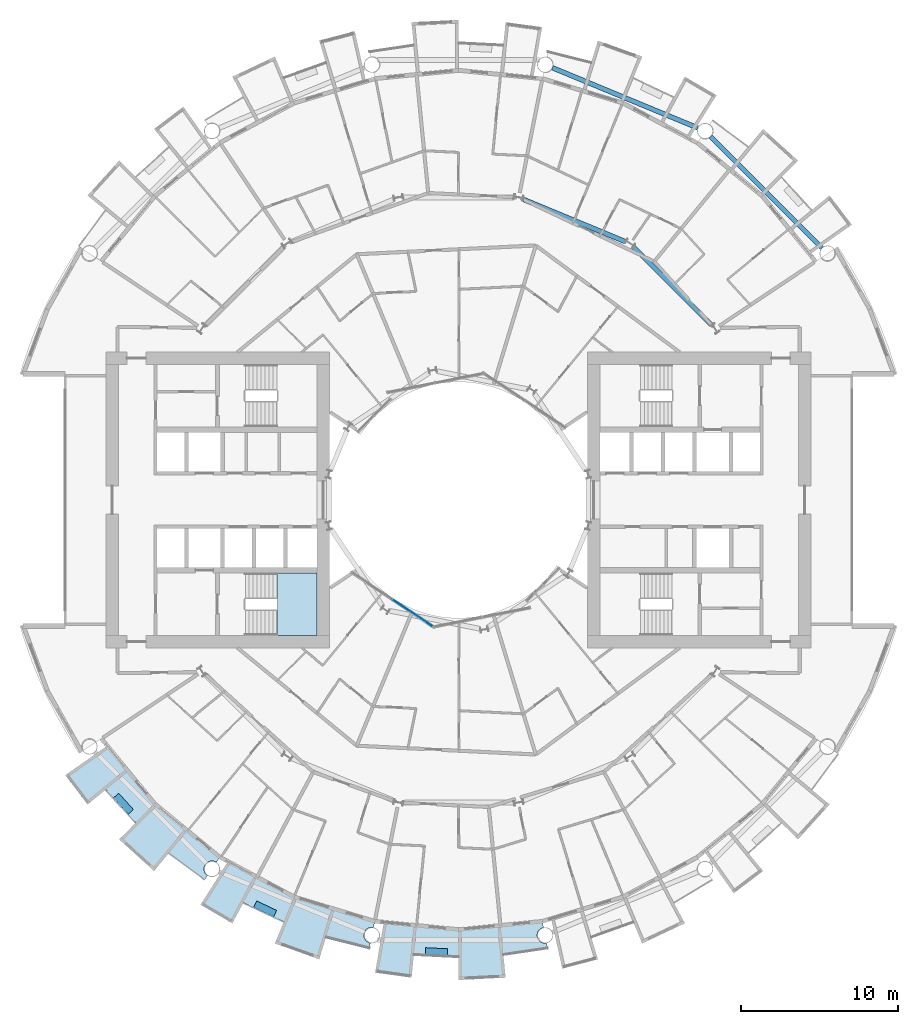
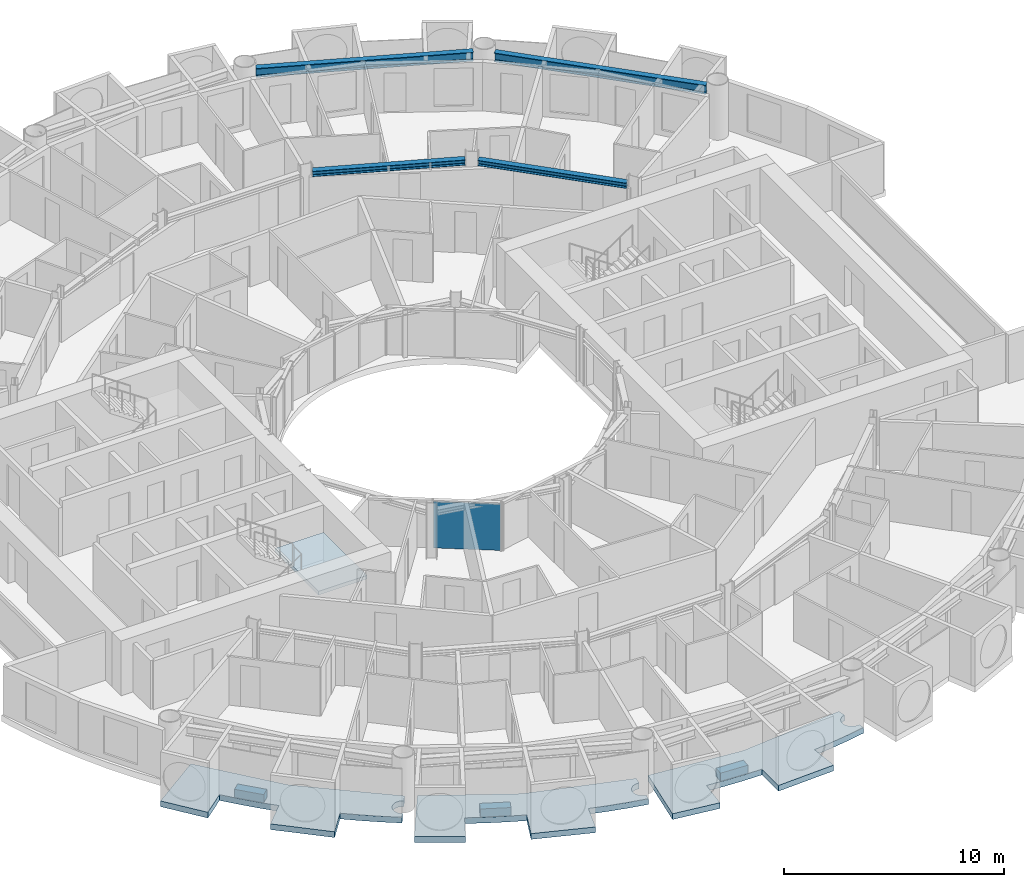
# One storey, part 9 of 26: 7 slabs, 4 beams, 1 plate, 2 elements without a shape of their own.
"""IFC4 building model written with IfcOpenShell, lengths in metres."""

from ifc_helpers import new_model, si_unit, direction, frame, origin, origin_2d, place, context, subcontext, project, spatial, polyline, rectangle, i_section, outline, extrude, material, layer, layer_set, material_profile, profile_set, type_object, element, aggregate, save


model = new_model("IFC4")

# Units and contexts
model_context = context("Model", 3, precision=1e-05, world=origin(), true_north=direction((0.0, 1.0)))
body_context = subcontext(model_context, "Body", "Model", "MODEL_VIEW")
ifc_project = project(units=[si_unit("LENGTHUNIT", "METRE"), si_unit("AREAUNIT", "SQUARE_METRE"), si_unit("VOLUMEUNIT", "CUBIC_METRE"), si_unit("PLANEANGLEUNIT", "RADIAN"), si_unit("MASSUNIT", "GRAM", prefix="KILO")], contexts=[model_context])

# Site, building, storey
site_placement = place(None, origin())
site = spatial("IfcSite", under=ifc_project, at=site_placement, CompositionType="ELEMENT")
building_placement = place(site_placement, origin())
building = spatial("IfcBuilding", under=site, at=building_placement, Name="Maasbend Ring Residences", CompositionType="ELEMENT")
storey_placement = place(building_placement, frame((0.0, 0.0, 44.14990234375)))
storey = spatial("IfcBuildingStorey", under=building, at=storey_placement, Name="L12", CompositionType="ELEMENT", Elevation=44.14990234375)

# Beams
ifc_material_1 = material(Name="Steel S355J2", Category="steel")
ifc_material_profile_1 = material_profile(ifc_material_1, i_section(OverallWidth=0.300048828125, OverallDepth=0.300048828125, WebThickness=0.010986328125, FlangeThickness=0.01904296875, FilletRadius=0.027099609375, at=origin_2d()), Name="HEB 300")
ifc_profile_set_1 = profile_set([ifc_material_profile_1], Name="Steel S355J2")
beam_type_1 = type_object("IfcBeamType", Name="Corridor ring beam HEB 300", PredefinedType="BEAM", material=ifc_profile_set_1)
beam_1_placement = place(storey_placement, frame((16.0732421875, 11.11279296875, 2.550048828125), z_axis=(-0.707106781187, 0.707106781187, 0.0), x_axis=(-0.707106781187, -0.707106781187, 0.0)))
element("IfcBeam", 1, at=beam_1_placement, inside=storey, type_object=beam_type_1, Name="Corridor ring beam", PredefinedType="BEAM", context=body_context, shape_type="SweptSolid", body=[
    extrude(i_section(OverallWidth=0.300048828125, OverallDepth=0.300048828125, WebThickness=0.010986328125, FlangeThickness=0.01904296875, FilletRadius=0.027099609375, at=origin_2d()), origin(), (0.0, 0.0, 1.0), 7.01513671875),
])
beam_2_placement = place(storey_placement, frame((10.59716796875, 16.417724609375, 2.550048828125), z_axis=(-0.923886196809, 0.38266734293, 0.0), x_axis=(-0.38266734293, -0.923886196809, 0.0)))
element("IfcBeam", 2, at=beam_2_placement, inside=storey, type_object=beam_type_1, Name="Corridor ring beam", PredefinedType="BEAM", context=body_context, shape_type="SweptSolid", body=[
    extrude(i_section(OverallWidth=0.300048828125, OverallDepth=0.300048828125, WebThickness=0.010986328125, FlangeThickness=0.01904296875, FilletRadius=0.027099609375, at=origin_2d()), origin(), (0.0, 0.0, 1.0), 7.015380859375),
])
ifc_material_2 = material(Name="Steel S355J2", Category="steel")
ifc_material_profile_2 = material_profile(ifc_material_2, i_section(OverallWidth=0.300048828125, OverallDepth=0.5, WebThickness=0.014404296875, FlangeThickness=0.028076171875, FilletRadius=0.027099609375, at=origin_2d()), Name="HEB 500")
ifc_profile_set_2 = profile_set([ifc_material_profile_2], Name="Steel S355J2")
beam_type_2 = type_object("IfcBeamType", Name="Spandrel ring beam HEB 500", PredefinedType="SPANDREL", material=ifc_profile_set_2)
beam_3_placement = place(storey_placement, frame((23.088134765625, 16.0263671875, 2.4501953125), z_axis=(-0.707106781187, 0.707106781187, 0.0), x_axis=(-0.707106781187, -0.707106781187, 0.0)))
element("IfcBeam", 3, at=beam_3_placement, inside=storey, type_object=beam_type_2, Name="Spandrel ring beam", PredefinedType="SPANDREL", context=body_context, shape_type="SweptSolid", body=[
    extrude(i_section(OverallWidth=0.300048828125, OverallDepth=0.5, WebThickness=0.014404296875, FlangeThickness=0.028076171875, FilletRadius=0.027099609375, at=origin_2d()), origin(), (0.0, 0.0, 1.0), 9.98681640625),
])
beam_4_placement = place(storey_placement, frame((15.19775390625, 23.641845703125, 2.4501953125), z_axis=(-0.923886337442, 0.382667003395, 0.0), x_axis=(-0.382667003395, -0.923886337442, 0.0)))
element("IfcBeam", 4, at=beam_4_placement, inside=storey, type_object=beam_type_2, Name="Spandrel ring beam", PredefinedType="SPANDREL", context=body_context, shape_type="SweptSolid", body=[
    extrude(i_section(OverallWidth=0.300048828125, OverallDepth=0.5, WebThickness=0.014404296875, FlangeThickness=0.028076171875, FilletRadius=0.027099609375, at=origin_2d()), origin(), (0.0, 0.0, 1.0), 9.9873046875),
])

# Stair, slab
ifc_material_3 = material(Name="Concrete C40/50", Category="concrete")
stair_type = type_object("IfcStairType", Name="CORE STAIR 18 RISERS", PredefinedType="HALF_TURN_STAIR", material=ifc_material_3)
stair_placement = place(storey_placement, origin())
stair = element("IfcStair", 5, at=stair_placement, inside=storey, type_object=stair_type, Name="L12 Exit stair ST-W1", PredefinedType="HALF_TURN_STAIR")
ifc_material_4 = material(Name="Concrete C40/50", Category="concrete")
ifc_layer_1 = layer(ifc_material_4, 0.199951171875)
ifc_layer_set_1 = layer_set([ifc_layer_1], Name="Concrete C40/50")
slab_type_1 = type_object("IfcSlabType", Name="CORE STAIR LANDING 200", PredefinedType="LANDING", material=ifc_layer_set_1)
slab_1_placement = place(storey_placement, frame((0.0, 0.0, 1.3251953125)))
slab_1 = element("IfcSlab", 6, at=slab_1_placement, type_object=slab_type_1, Name="ST-W1 landing 1", PredefinedType="LANDING", context=body_context, shape_type="SweptSolid", body=[
    extrude(outline(polyline([(-11.550048828125, -8.60009765625), (-9.0, -8.60009765625), (-9.0, -4.64990234375), (-11.550048828125, -4.64990234375), (-11.550048828125, -8.60009765625)])), origin(), (0.0, 0.0, 1.0), 0.199951171875),
])
aggregate(stair, [slab_1])

# Curtain wall, plate
ifc_material_5 = material(Name="Aluminium and clear glass", Category="aluminium")
ifc_layer_2 = layer(ifc_material_5, 0.179931640625)
ifc_layer_set_2 = layer_set([ifc_layer_2], Name="CW-W")
curtain_wall_type = type_object("IfcCurtainWallType", Name="CW-W", PredefinedType="NOTDEFINED", material=ifc_layer_set_2)
curtain_wall_placement = place(storey_placement, origin())
curtain_wall = element("IfcCurtainWall", 7, at=curtain_wall_placement, inside=storey, type_object=curtain_wall_type, Name="Well curtain wall S1", PredefinedType="NOTDEFINED")
ifc_material_6 = material(Name="Glass clear laminated", Category="glass")
ifc_layer_3 = layer(ifc_material_6, 0.031982421875)
ifc_layer_set_3 = layer_set([ifc_layer_3], Name="CWP-W")
plate_type = type_object("IfcPlateType", Name="CWP-W", PredefinedType="CURTAIN_PANEL", material=ifc_layer_set_3)
plate_placement = place(storey_placement, frame((-2.922119140625, -7.17578125, 0.0), z_axis=(0.0, 0.0, 1.0), x_axis=(0.831469612303, -0.55557023302, 0.0)))
plate = element("IfcPlate", 8, at=plate_placement, type_object=plate_type, Name="Glass panel well face", PredefinedType="CURTAIN_PANEL", context=body_context, shape_type="SweptSolid", body=[
    extrude(rectangle(XDim=3.053955078125, YDim=0.031982421875, at=origin_2d()), origin(), (0.0, 0.0, 1.0), 2.580078125),
])
aggregate(curtain_wall, [plate])

# Slabs
ifc_material_7 = material(Name="Planting with climbing greenery")
ifc_layer_4 = layer(ifc_material_7, 0.449951171875)
ifc_layer_set_4 = layer_set([ifc_layer_4], Name="PLANTER-LG")
slab_type_2 = type_object("IfcSlabType", Name="PLANTER-LG", PredefinedType="USERDEFINED", material=ifc_layer_set_4)
slab_2_placement = place(storey_placement, frame((0.0, 0.0, -0.02978515625)))
element("IfcSlab", 9, at=slab_2_placement, inside=storey, type_object=slab_type_2, Name="Planter with climbing greenery 1", ObjectType="PLANTER", PredefinedType="USERDEFINED", context=body_context, shape_type="SweptSolid", body=[
    extrude(outline(polyline([(-21.931884765625, -18.93310546875), (-20.991943359375, -19.969970703125), (-20.657958984375, -19.66796875), (-21.597900390625, -18.631103515625), (-21.931884765625, -18.93310546875)])), origin(), (0.0, 0.0, 1.0), 0.449951171875),
])
slab_3_placement = place(storey_placement, frame((0.0, 0.0, -0.02978515625)))
element("IfcSlab", 10, at=slab_3_placement, inside=storey, type_object=slab_type_2, Name="Planter with climbing greenery 2", ObjectType="PLANTER", PredefinedType="USERDEFINED", context=body_context, shape_type="SweptSolid", body=[
    extrude(outline(polyline([(-13.01708984375, -25.885009765625), (-11.7509765625, -26.48291015625), (-11.55908203125, -26.076904296875), (-12.824951171875, -25.47802734375), (-13.01708984375, -25.885009765625)])), origin(), (0.0, 0.0, 1.0), 0.449951171875),
])
slab_4_placement = place(storey_placement, frame((0.0, 0.0, -0.02978515625)))
element("IfcSlab", 11, at=slab_4_placement, inside=storey, type_object=slab_type_2, Name="Planter with climbing greenery 3", ObjectType="PLANTER", PredefinedType="USERDEFINED", context=body_context, shape_type="SweptSolid", body=[
    extrude(outline(polyline([(-2.1201171875, -28.89599609375), (-0.721923828125, -28.965087890625), (-0.699951171875, -28.514892578125), (-2.097900390625, -28.446044921875), (-2.1201171875, -28.89599609375)])), origin(), (0.0, 0.0, 1.0), 0.449951171875),
])
ifc_material_8 = material(Name="Concrete C40/50", Category="concrete")
ifc_layer_5 = layer(ifc_material_8, 0.199951171875)
ifc_layer_set_5 = layer_set([ifc_layer_5], Name="Concrete C40/50")
slab_type_3 = type_object("IfcSlabType", Name="SL-LOGGIA", PredefinedType="FLOOR", material=ifc_layer_set_5)
slab_5_placement = place(storey_placement, frame((0.0, 0.0, -0.349853515625)))
element("IfcSlab", 12, at=slab_5_placement, inside=storey, type_object=slab_type_3, Name="Loggia floor 2", PredefinedType="FLOOR", context=body_context, shape_type="SweptSolid", body=[
    extrude(outline(polyline([(-12.806884765625, -23.9609375), (-10.447021484375, -25.221923828125), (-10.447021484375, -25.221923828125), (-10.447021484375, -25.221923828125), (-7.886962890625, -25.9990234375), (-5.325927734375, -26.77490234375), (-5.325927734375, -26.77490234375), (-5.325927734375, -26.77490234375), (-5.402099609375, -27.159912109375), (-5.4150390625, -27.157958984375), (-5.427001953125, -27.156005859375), (-5.43896484375, -27.154052734375), (-5.451904296875, -27.153076171875), (-5.464111328125, -27.15087890625), (-5.47705078125, -27.15087890625), (-5.489013671875, -27.14990234375), (-5.501953125, -27.14990234375), (-5.513916015625, -27.14990234375), (-5.52587890625, -27.15087890625), (-5.5390625, -27.15087890625), (-5.551025390625, -27.153076171875), (-5.56396484375, -27.154052734375), (-5.575927734375, -27.156005859375), (-5.587890625, -27.157958984375), (-5.60107421875, -27.159912109375), (-5.613037109375, -27.162109375), (-5.625, -27.1650390625), (-5.636962890625, -27.1689453125), (-5.64892578125, -27.172119140625), (-5.660888671875, -27.176025390625), (-5.673095703125, -27.179931640625), (-5.68408203125, -27.18408203125), (-5.696044921875, -27.18896484375), (-5.70703125, -27.194091796875), (-5.718994140625, -27.198974609375), (-5.72998046875, -27.2041015625), (-5.740966796875, -27.2099609375), (-5.751953125, -27.216064453125), (-5.762939453125, -27.221923828125), (-5.77294921875, -27.22900390625), (-5.783935546875, -27.236083984375), (-5.7939453125, -27.242919921875), (-5.803955078125, -27.25), (-5.81396484375, -27.258056640625), (-5.823974609375, -27.264892578125), (-5.8330078125, -27.27294921875), (-5.843017578125, -27.281982421875), (-5.85205078125, -27.2900390625), (-5.861083984375, -27.299072265625), (-5.868896484375, -27.30810546875), (-5.8779296875, -27.31689453125), (-5.885986328125, -27.325927734375), (-5.89404296875, -27.3359375), (-5.902099609375, -27.345947265625), (-5.909912109375, -27.35498046875), (-5.9169921875, -27.365966796875), (-5.924072265625, -27.3759765625), (-5.930908203125, -27.385986328125), (-5.93701171875, -27.39697265625), (-5.944091796875, -27.407958984375), (-5.949951171875, -27.4189453125), (-5.955078125, -27.429931640625), (-5.9609375, -27.44091796875), (-5.966064453125, -27.451904296875), (-5.970947265625, -27.464111328125), (-5.97509765625, -27.47509765625), (-5.97998046875, -27.487060546875), (-5.98388671875, -27.4990234375), (-5.988037109375, -27.510986328125), (-5.990966796875, -27.52294921875), (-5.993896484375, -27.534912109375), (-5.9970703125, -27.547119140625), (-6.0, -27.55908203125), (-6.001953125, -27.571044921875), (-6.00390625, -27.583984375), (-6.006103515625, -27.595947265625), (-6.007080078125, -27.60791015625), (-6.008056640625, -27.62109375), (-6.009033203125, -27.633056640625), (-6.009033203125, -27.64599609375), (-6.010009765625, -27.657958984375), (-6.009033203125, -27.6708984375), (-6.009033203125, -27.68310546875), (-6.008056640625, -27.695068359375), (-6.007080078125, -27.7080078125), (-6.006103515625, -27.719970703125), (-6.00390625, -27.73291015625), (-6.001953125, -27.7451171875), (-6.0, -27.757080078125), (-5.9970703125, -27.76904296875), (-5.993896484375, -27.781982421875), (-5.990966796875, -27.7939453125), (-5.988037109375, -27.805908203125), (-5.98388671875, -27.81689453125), (-5.97998046875, -27.8291015625), (-5.97509765625, -27.841064453125), (-5.970947265625, -27.85302734375), (-5.966064453125, -27.864013671875), (-5.9609375, -27.875), (-5.955078125, -27.886962890625), (-5.949951171875, -27.89794921875), (-5.944091796875, -27.907958984375), (-5.93701171875, -27.9189453125), (-5.930908203125, -27.929931640625), (-5.924072265625, -27.93994140625), (-5.9169921875, -27.950927734375), (-5.909912109375, -27.9609375), (-5.902099609375, -27.970947265625), (-5.89404296875, -27.97998046875), (-5.885986328125, -27.989990234375), (-5.8779296875, -27.9990234375), (-5.868896484375, -28.008056640625), (-5.861083984375, -28.01708984375), (-5.85205078125, -28.02587890625), (-5.843017578125, -28.034912109375), (-5.8330078125, -28.04296875), (-5.823974609375, -28.051025390625), (-5.81396484375, -28.05908203125), (-5.803955078125, -28.06591796875), (-5.7939453125, -28.072998046875), (-5.783935546875, -28.080078125), (-5.77294921875, -28.0869140625), (-5.762939453125, -28.093994140625), (-5.751953125, -28.10009765625), (-5.740966796875, -28.10595703125), (-5.72998046875, -28.112060546875), (-5.718994140625, -28.116943359375), (-5.70703125, -28.123046875), (-5.696044921875, -28.126953125), (-5.68408203125, -28.132080078125), (-5.673095703125, -28.135986328125), (-5.660888671875, -28.139892578125), (-5.64892578125, -28.14404296875), (-5.636962890625, -28.14794921875), (-5.625, -28.15087890625), (-5.613037109375, -28.154052734375), (-5.60107421875, -28.156005859375), (-5.657958984375, -28.443115234375), (-5.657958984375, -28.443115234375), (-5.657958984375, -28.443115234375), (-6.5849609375, -28.241943359375), (-6.5849609375, -28.241943359375), (-7.506103515625, -28.011962890625), (-7.506103515625, -28.011962890625), (-8.41796875, -27.7509765625), (-8.41796875, -27.7509765625), (-8.41796875, -27.7509765625), (-8.41796875, -27.7509765625), (-8.41796875, -27.7509765625), (-8.41796875, -27.7509765625), (-8.41796875, -27.7509765625), (-8.41796875, -27.7509765625), (-8.41796875, -27.7509765625), (-8.41796875, -27.7509765625), (-8.41796875, -27.751953125), (-8.41796875, -27.751953125), (-8.41796875, -27.751953125), (-8.41796875, -27.751953125), (-8.41796875, -27.751953125), (-8.41796875, -27.751953125), (-8.41796875, -27.751953125), (-8.85400390625, -29.18701171875), (-8.85400390625, -29.18701171875), (-8.85400390625, -29.18701171875), (-11.672119140625, -28.177978515625), (-11.672119140625, -28.177978515625), (-11.672119140625, -28.177978515625), (-11.097900390625, -26.79296875), (-11.097900390625, -26.79296875), (-11.097900390625, -26.79296875), (-11.097900390625, -26.79296875), (-11.097900390625, -26.79296875), (-11.097900390625, -26.79296875), (-11.097900390625, -26.79296875), (-11.097900390625, -26.79296875), (-11.097900390625, -26.79296875), (-11.097900390625, -26.79296875), (-11.097900390625, -26.7919921875), (-11.097900390625, -26.7919921875), (-11.097900390625, -26.7919921875), (-11.097900390625, -26.7919921875), (-11.097900390625, -26.7919921875), (-11.097900390625, -26.7919921875), (-11.097900390625, -26.7919921875), (-11.968994140625, -26.4150390625), (-11.968994140625, -26.4150390625), (-12.825927734375, -26.009033203125), (-12.825927734375, -26.009033203125), (-13.669921875, -25.575927734375), (-13.669921875, -25.575927734375), (-13.669921875, -25.575927734375), (-13.669921875, -25.575927734375), (-13.669921875, -25.575927734375), (-13.669921875, -25.575927734375), (-13.669921875, -25.575927734375), (-13.669921875, -25.575927734375), (-13.669921875, -25.575927734375), (-13.669921875, -25.575927734375), (-13.6708984375, -25.575927734375), (-13.6708984375, -25.575927734375), (-13.6708984375, -25.575927734375), (-13.6708984375, -25.575927734375), (-13.6708984375, -25.575927734375), (-13.6708984375, -25.575927734375), (-13.6708984375, -25.575927734375), (-14.3779296875, -26.89892578125), (-14.3779296875, -26.89892578125), (-14.3779296875, -26.89892578125), (-16.39404296875, -25.718994140625), (-16.39404296875, -25.718994140625), (-16.39404296875, -25.718994140625), (-14.64599609375, -22.97705078125), (-14.64599609375, -22.97705078125), (-14.64599609375, -22.97705078125), (-12.806884765625, -23.9609375)])), origin(), (0.0, 0.0, 1.0), 0.320068359375),
])
slab_6_placement = place(storey_placement, frame((0.0, 0.0, -0.349853515625)))
element("IfcSlab", 13, at=slab_6_placement, inside=storey, type_object=slab_type_3, Name="Loggia floor 3", PredefinedType="FLOOR", context=body_context, shape_type="SweptSolid", body=[
    extrude(outline(polyline([(-2.6630859375, -27.0380859375), (0.0, -27.300048828125), (0.0, -27.300048828125), (0.0, -27.300048828125), (2.6630859375, -27.0380859375), (5.325927734375, -26.77490234375), (5.325927734375, -26.77490234375), (5.325927734375, -26.77490234375), (5.402099609375, -27.159912109375), (5.402099609375, -27.159912109375), (5.389892578125, -27.162109375), (5.3779296875, -27.1650390625), (5.365966796875, -27.1689453125), (5.35400390625, -27.172119140625), (5.342041015625, -27.176025390625), (5.330078125, -27.179931640625), (5.319091796875, -27.18408203125), (5.306884765625, -27.18896484375), (5.2958984375, -27.194091796875), (5.283935546875, -27.198974609375), (5.27294921875, -27.2041015625), (5.261962890625, -27.2099609375), (5.2509765625, -27.216064453125), (5.239990234375, -27.221923828125), (5.22998046875, -27.22900390625), (5.218994140625, -27.236083984375), (5.208984375, -27.242919921875), (5.198974609375, -27.25), (5.18896484375, -27.258056640625), (5.178955078125, -27.264892578125), (5.169921875, -27.27294921875), (5.159912109375, -27.281982421875), (5.15087890625, -27.2900390625), (5.14208984375, -27.299072265625), (5.134033203125, -27.30810546875), (5.125, -27.31689453125), (5.116943359375, -27.325927734375), (5.10888671875, -27.3359375), (5.10107421875, -27.345947265625), (5.093017578125, -27.35498046875), (5.0859375, -27.365966796875), (5.0791015625, -27.3759765625), (5.072021484375, -27.385986328125), (5.06591796875, -27.39697265625), (5.05908203125, -27.407958984375), (5.052978515625, -27.4189453125), (5.048095703125, -27.429931640625), (5.0419921875, -27.44091796875), (5.037109375, -27.451904296875), (5.031982421875, -27.464111328125), (5.028076171875, -27.47509765625), (5.02294921875, -27.487060546875), (5.01904296875, -27.4990234375), (5.014892578125, -27.510986328125), (5.011962890625, -27.52294921875), (5.009033203125, -27.534912109375), (5.006103515625, -27.547119140625), (5.0029296875, -27.55908203125), (5.0009765625, -27.571044921875), (4.9990234375, -27.583984375), (4.9970703125, -27.595947265625), (4.99609375, -27.60791015625), (4.9951171875, -27.62109375), (4.993896484375, -27.633056640625), (4.993896484375, -27.64599609375), (4.993896484375, -27.657958984375), (4.993896484375, -27.6708984375), (4.993896484375, -27.68310546875), (4.9951171875, -27.695068359375), (4.99609375, -27.7080078125), (4.9970703125, -27.719970703125), (4.9990234375, -27.73291015625), (5.0009765625, -27.7451171875), (5.0029296875, -27.757080078125), (5.006103515625, -27.76904296875), (5.009033203125, -27.781982421875), (5.011962890625, -27.7939453125), (5.014892578125, -27.805908203125), (5.01904296875, -27.81689453125), (5.02294921875, -27.8291015625), (5.028076171875, -27.841064453125), (5.031982421875, -27.85302734375), (5.037109375, -27.864013671875), (5.0419921875, -27.875), (5.048095703125, -27.886962890625), (5.052978515625, -27.89794921875), (5.05908203125, -27.907958984375), (5.06591796875, -27.9189453125), (5.072021484375, -27.929931640625), (5.0791015625, -27.93994140625), (5.0859375, -27.950927734375), (5.093017578125, -27.9609375), (5.10107421875, -27.970947265625), (5.10888671875, -27.97998046875), (5.116943359375, -27.989990234375), (5.125, -27.9990234375), (5.134033203125, -28.008056640625), (5.14208984375, -28.01708984375), (5.15087890625, -28.02587890625), (5.159912109375, -28.034912109375), (5.169921875, -28.04296875), (5.178955078125, -28.051025390625), (5.18896484375, -28.05908203125), (5.198974609375, -28.06591796875), (5.208984375, -28.072998046875), (5.218994140625, -28.080078125), (5.22998046875, -28.0869140625), (5.239990234375, -28.093994140625), (5.2509765625, -28.10009765625), (5.261962890625, -28.10595703125), (5.27294921875, -28.112060546875), (5.283935546875, -28.116943359375), (5.2958984375, -28.123046875), (5.306884765625, -28.126953125), (5.319091796875, -28.132080078125), (5.330078125, -28.135986328125), (5.342041015625, -28.139892578125), (5.35400390625, -28.14404296875), (5.365966796875, -28.14794921875), (5.3779296875, -28.15087890625), (5.389892578125, -28.154052734375), (5.402099609375, -28.156005859375), (5.4150390625, -28.158935546875), (5.427001953125, -28.160888671875), (5.43896484375, -28.162109375), (5.451904296875, -28.1640625), (5.464111328125, -28.1650390625), (5.47705078125, -28.1650390625), (5.489013671875, -28.166015625), (5.501953125, -28.166015625), (5.513916015625, -28.166015625), (5.52587890625, -28.1650390625), (5.5390625, -28.1650390625), (5.551025390625, -28.1640625), (5.56396484375, -28.162109375), (5.575927734375, -28.160888671875), (5.587890625, -28.158935546875), (5.60107421875, -28.156005859375), (5.60107421875, -28.156005859375), (5.657958984375, -28.443115234375), (5.657958984375, -28.443115234375), (5.657958984375, -28.443115234375), (4.72412109375, -28.613037109375), (4.72412109375, -28.613037109375), (3.784912109375, -28.751953125), (3.784912109375, -28.751953125), (2.843017578125, -28.860107421875), (2.843017578125, -28.860107421875), (2.843017578125, -28.860107421875), (2.843017578125, -28.860107421875), (2.843017578125, -28.860107421875), (2.843017578125, -28.860107421875), (2.843017578125, -28.860107421875), (2.843017578125, -28.860107421875), (2.843017578125, -28.860107421875), (2.843017578125, -28.861083984375), (2.843017578125, -28.861083984375), (2.843017578125, -28.861083984375), (2.843017578125, -28.861083984375), (2.843017578125, -28.861083984375), (2.843017578125, -28.861083984375), (2.843017578125, -28.861083984375), (2.843017578125, -28.861083984375), (2.989990234375, -30.35302734375), (2.989990234375, -30.35302734375), (2.989990234375, -30.35302734375), (0.0, -30.5), (0.0, -30.5), (0.0, -30.5), (0.0, -29.0), (0.0, -29.0), (0.0, -29.0), (0.0, -29.0), (0.0, -29.0), (0.0, -29.0), (0.0, -29.0), (0.0, -29.0), (0.0, -29.0), (0.0, -29.0), (0.0, -29.0), (0.0, -29.0), (0.0, -29.0), (0.0, -29.0), (0.0, -29.0), (0.0, -29.0), (0.0, -29.0), (-0.948974609375, -28.98388671875), (-0.948974609375, -28.98388671875), (-1.89697265625, -28.93798828125), (-1.89697265625, -28.93798828125), (-2.842041015625, -28.860107421875), (-2.842041015625, -28.860107421875), (-2.842041015625, -28.860107421875), (-2.842041015625, -28.860107421875), (-2.842041015625, -28.860107421875), (-2.842041015625, -28.860107421875), (-2.842041015625, -28.860107421875), (-2.842041015625, -28.860107421875), (-2.842041015625, -28.861083984375), (-2.842041015625, -28.861083984375), (-2.842041015625, -28.861083984375), (-2.842041015625, -28.861083984375), (-2.842041015625, -28.861083984375), (-2.843017578125, -28.861083984375), (-2.843017578125, -28.861083984375), (-2.843017578125, -28.861083984375), (-2.843017578125, -28.861083984375), (-2.989990234375, -30.35302734375), (-2.989990234375, -30.35302734375), (-2.989990234375, -30.35302734375), (-5.303955078125, -30.034912109375), (-5.303955078125, -30.034912109375), (-5.303955078125, -30.034912109375), (-4.739013671875, -26.8330078125), (-4.739013671875, -26.8330078125), (-4.739013671875, -26.8330078125), (-2.6630859375, -27.0380859375)])), origin(), (0.0, 0.0, 1.0), 0.320068359375),
])
slab_7_placement = place(storey_placement, frame((0.0, 0.0, -0.349853515625)))
element("IfcSlab", 14, at=slab_7_placement, inside=storey, type_object=slab_type_3, Name="Loggia floor 5", PredefinedType="FLOOR", context=body_context, shape_type="SweptSolid", body=[
    extrude(outline(polyline([(-21.001953125, -17.236083984375), (-19.303955078125, -19.303955078125), (-19.303955078125, -19.303955078125), (-19.303955078125, -19.303955078125), (-17.236083984375, -21.001953125), (-15.1669921875, -22.698974609375), (-15.1669921875, -22.698974609375), (-15.1669921875, -22.698974609375), (-15.385009765625, -23.02490234375), (-15.385009765625, -23.02490234375), (-15.39501953125, -23.01806640625), (-15.406005859375, -23.011962890625), (-15.4169921875, -23.0048828125), (-15.427978515625, -22.9990234375), (-15.43896484375, -22.993896484375), (-15.449951171875, -22.988037109375), (-15.4609375, -22.98291015625), (-15.472900390625, -22.97802734375), (-15.48388671875, -22.972900390625), (-15.49609375, -22.968994140625), (-15.508056640625, -22.965087890625), (-15.52001953125, -22.9609375), (-15.531982421875, -22.9580078125), (-15.5439453125, -22.955078125), (-15.555908203125, -22.951904296875), (-15.568115234375, -22.948974609375), (-15.580078125, -22.947021484375), (-15.593017578125, -22.945068359375), (-15.60498046875, -22.943115234375), (-15.616943359375, -22.94189453125), (-15.6298828125, -22.94091796875), (-15.64208984375, -22.93994140625), (-15.655029296875, -22.93994140625), (-15.6669921875, -22.93896484375), (-15.679931640625, -22.93994140625), (-15.69189453125, -22.93994140625), (-15.7041015625, -22.94091796875), (-15.717041015625, -22.94189453125), (-15.72900390625, -22.943115234375), (-15.741943359375, -22.945068359375), (-15.75390625, -22.947021484375), (-15.76611328125, -22.948974609375), (-15.778076171875, -22.951904296875), (-15.791015625, -22.955078125), (-15.802978515625, -22.9580078125), (-15.81494140625, -22.9609375), (-15.825927734375, -22.965087890625), (-15.837890625, -22.968994140625), (-15.85009765625, -22.972900390625), (-15.862060546875, -22.97802734375), (-15.873046875, -22.98291015625), (-15.884033203125, -22.988037109375), (-15.89599609375, -22.993896484375), (-15.906982421875, -22.9990234375), (-15.9169921875, -23.0048828125), (-15.927978515625, -23.011962890625), (-15.93896484375, -23.01806640625), (-15.948974609375, -23.02490234375), (-15.9599609375, -23.031982421875), (-15.969970703125, -23.0390625), (-15.97998046875, -23.047119140625), (-15.989013671875, -23.054931640625), (-15.9990234375, -23.06298828125), (-16.008056640625, -23.071044921875), (-16.01708984375, -23.0791015625), (-16.02587890625, -23.087890625), (-16.034912109375, -23.096923828125), (-16.0439453125, -23.10595703125), (-16.052001953125, -23.115966796875), (-16.06005859375, -23.125), (-16.068115234375, -23.135009765625), (-16.074951171875, -23.14501953125), (-16.08203125, -23.155029296875), (-16.089111328125, -23.1650390625), (-16.095947265625, -23.176025390625), (-16.10302734375, -23.18603515625), (-16.10888671875, -23.197021484375), (-16.114990234375, -23.2080078125), (-16.12109375, -23.218994140625), (-16.1259765625, -23.22998046875), (-16.132080078125, -23.241943359375), (-16.135986328125, -23.2529296875), (-16.14111328125, -23.264892578125), (-16.14501953125, -23.27587890625), (-16.14892578125, -23.2880859375), (-16.153076171875, -23.300048828125), (-16.156982421875, -23.31201171875), (-16.159912109375, -23.323974609375), (-16.1630859375, -23.3359375), (-16.1650390625, -23.347900390625), (-16.16796875, -23.361083984375), (-16.169921875, -23.373046875), (-16.1708984375, -23.385009765625), (-16.173095703125, -23.39794921875), (-16.174072265625, -23.409912109375), (-16.174072265625, -23.422119140625), (-16.175048828125, -23.43505859375), (-16.175048828125, -23.447021484375), (-16.175048828125, -23.4599609375), (-16.174072265625, -23.471923828125), (-16.174072265625, -23.485107421875), (-16.173095703125, -23.4970703125), (-16.1708984375, -23.510009765625), (-16.169921875, -23.52197265625), (-16.16796875, -23.533935546875), (-16.1650390625, -23.547119140625), (-16.1630859375, -23.55908203125), (-16.159912109375, -23.571044921875), (-16.156982421875, -23.5830078125), (-16.153076171875, -23.594970703125), (-16.14892578125, -23.60693359375), (-16.14501953125, -23.618896484375), (-16.14111328125, -23.6298828125), (-16.135986328125, -23.64208984375), (-16.132080078125, -23.653076171875), (-16.1259765625, -23.6650390625), (-16.12109375, -23.676025390625), (-16.114990234375, -23.68701171875), (-16.10888671875, -23.697998046875), (-16.10302734375, -23.708984375), (-16.095947265625, -23.718994140625), (-16.089111328125, -23.72998046875), (-16.08203125, -23.739990234375), (-16.074951171875, -23.75), (-16.068115234375, -23.760009765625), (-16.06005859375, -23.77001953125), (-16.052001953125, -23.779052734375), (-16.0439453125, -23.7890625), (-16.034912109375, -23.798095703125), (-16.02587890625, -23.806884765625), (-16.01708984375, -23.81494140625), (-16.008056640625, -23.823974609375), (-15.9990234375, -23.83203125), (-15.989013671875, -23.840087890625), (-15.97998046875, -23.847900390625), (-15.969970703125, -23.85498046875), (-15.9599609375, -23.863037109375), (-15.948974609375, -23.8701171875), (-15.948974609375, -23.8701171875), (-16.112060546875, -24.113037109375), (-16.112060546875, -24.113037109375), (-16.112060546875, -24.113037109375), (-16.89208984375, -23.572998046875), (-16.89208984375, -23.572998046875), (-17.654052734375, -23.007080078125), (-17.654052734375, -23.007080078125), (-18.39697265625, -22.41796875), (-18.39697265625, -22.41796875), (-18.39697265625, -22.41796875), (-18.39697265625, -22.41796875), (-18.39697265625, -22.41796875), (-18.39697265625, -22.41796875), (-18.39697265625, -22.41796875), (-18.39697265625, -22.41796875), (-18.39697265625, -22.41796875), (-18.39697265625, -22.41796875), (-18.39697265625, -22.41796875), (-18.39794921875, -22.41796875), (-18.39794921875, -22.41796875), (-18.39794921875, -22.41796875), (-18.39794921875, -22.41796875), (-18.39794921875, -22.41796875), (-18.39794921875, -22.41796875), (-19.34912109375, -23.576904296875), (-19.34912109375, -23.576904296875), (-19.34912109375, -23.576904296875), (-21.56689453125, -21.56689453125), (-21.56689453125, -21.56689453125), (-21.56689453125, -21.56689453125), (-20.506103515625, -20.506103515625), (-20.506103515625, -20.506103515625), (-20.506103515625, -20.506103515625), (-20.506103515625, -20.506103515625), (-20.506103515625, -20.506103515625), (-20.506103515625, -20.506103515625), (-20.506103515625, -20.506103515625), (-20.506103515625, -20.506103515625), (-20.506103515625, -20.506103515625), (-20.506103515625, -20.506103515625), (-20.506103515625, -20.506103515625), (-20.506103515625, -20.506103515625), (-20.506103515625, -20.506103515625), (-20.506103515625, -20.506103515625), (-20.506103515625, -20.506103515625), (-20.506103515625, -20.506103515625), (-20.506103515625, -20.506103515625), (-21.166015625, -19.823974609375), (-21.166015625, -19.823974609375), (-21.802978515625, -19.12109375), (-21.802978515625, -19.12109375), (-22.4169921875, -18.39794921875), (-22.4169921875, -18.39794921875), (-22.4169921875, -18.39794921875), (-22.4169921875, -18.39794921875), (-22.4169921875, -18.39794921875), (-22.4169921875, -18.39794921875), (-22.4169921875, -18.39794921875), (-22.4169921875, -18.39794921875), (-22.4169921875, -18.39794921875), (-22.4169921875, -18.39794921875), (-22.4169921875, -18.39794921875), (-22.4169921875, -18.39794921875), (-22.41796875, -18.39794921875), (-22.41796875, -18.39794921875), (-22.41796875, -18.39794921875), (-22.41796875, -18.39794921875), (-22.41796875, -18.39794921875), (-23.576904296875, -19.34912109375), (-23.576904296875, -19.34912109375), (-23.576904296875, -19.34912109375), (-24.989013671875, -17.488037109375), (-24.989013671875, -17.488037109375), (-24.989013671875, -17.488037109375), (-22.324951171875, -15.623046875), (-22.324951171875, -15.623046875), (-22.324951171875, -15.623046875), (-21.001953125, -17.236083984375)])), origin(), (0.0, 0.0, 1.0), 0.320068359375),
])

save(model, "model.ifc")
